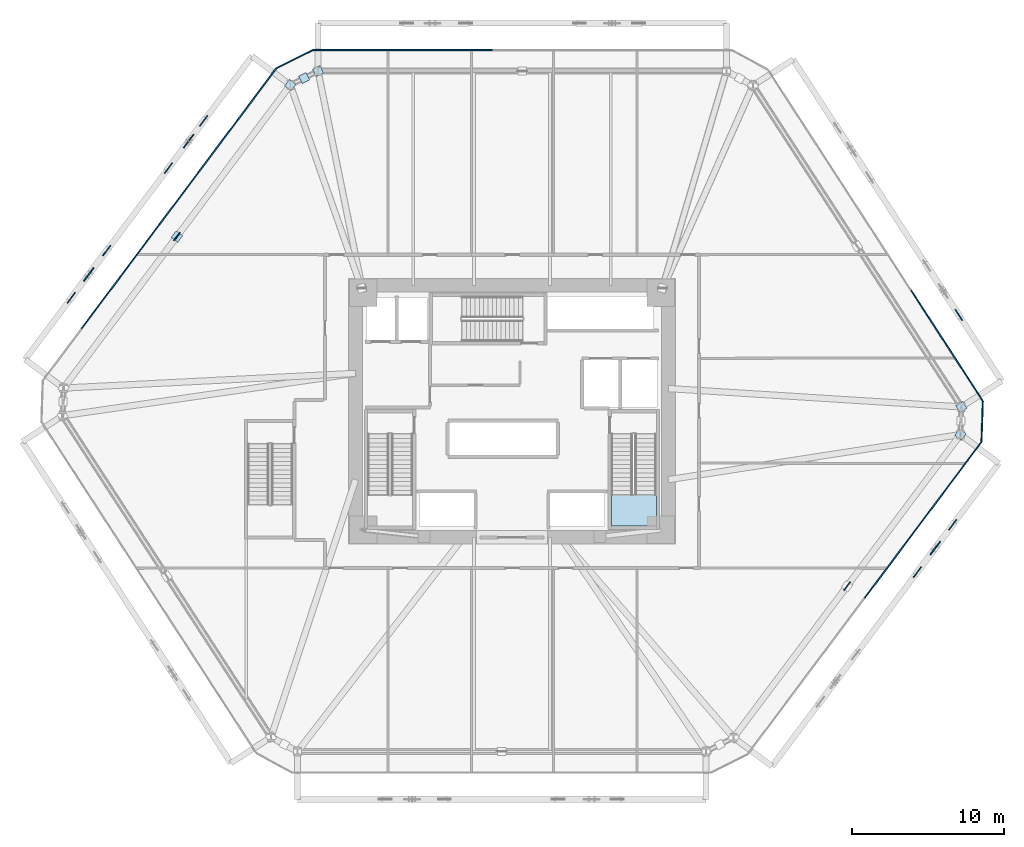
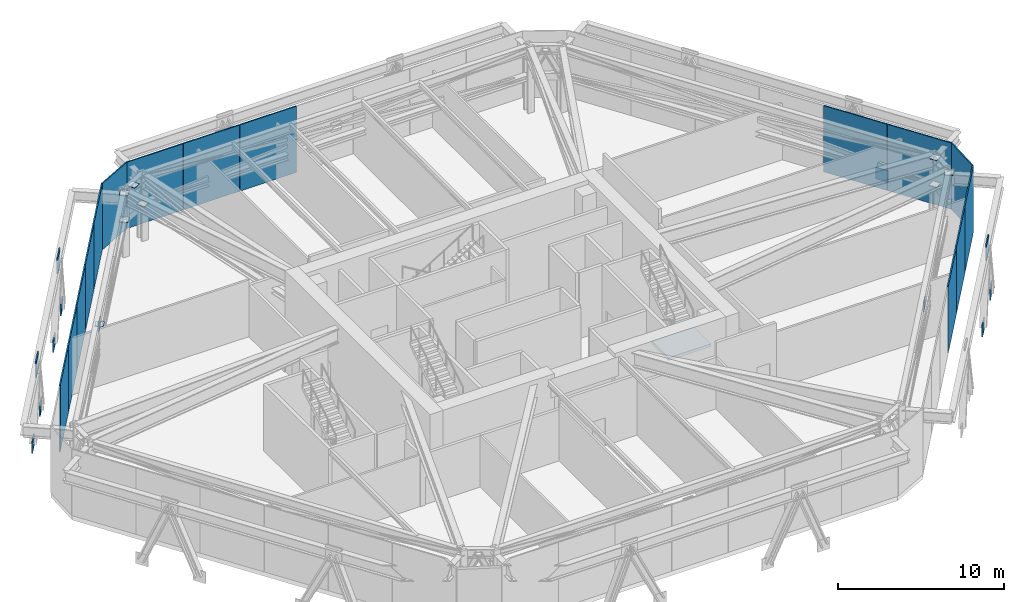
# One storey, part 7 of 16: 35 plates, 1 slab, 1 element without a shape of its own.
"""IFC4 building model written with IfcOpenShell, lengths in metres."""

from ifc_helpers import new_model, si_unit, direction, frame, origin, origin_2d, place, context, subcontext, project, spatial, polyline, rectangle, outline, extrude, source, transform, mapped, material, layer, layer_set, type_object, type_shapes, element, aggregate, save


model = new_model("IFC4")

# Units and contexts
model_context = context("Model", 3, precision=1e-05, world=origin(), true_north=direction((0.0, 1.0)))
body_context = subcontext(model_context, "Body", "Model", "MODEL_VIEW")
ifc_project = project(units=[si_unit("LENGTHUNIT", "METRE"), si_unit("AREAUNIT", "SQUARE_METRE"), si_unit("VOLUMEUNIT", "CUBIC_METRE"), si_unit("PLANEANGLEUNIT", "RADIAN"), si_unit("MASSUNIT", "GRAM", prefix="KILO")], contexts=[model_context])

# Site, building, storey
site_placement = place(None, origin())
site = spatial("IfcSite", under=ifc_project, at=site_placement, CompositionType="ELEMENT")
building_placement = place(site_placement, origin())
building = spatial("IfcBuilding", under=site, at=building_placement, Name="Durnholm Broadcast Tower", CompositionType="ELEMENT")
storey_placement = place(building_placement, frame((0.0, 0.0, 10.39990234375)))
storey = spatial("IfcBuildingStorey", under=building, at=storey_placement, Name="L02", CompositionType="ELEMENT", Elevation=10.39990234375)

# Stair, slab
ifc_material_1 = material(Name="Concrete C50/60", Category="concrete")
stair_type = type_object("IfcStairType", Name="STAIR-DL-30R1733", PredefinedType="HALF_TURN_STAIR", material=ifc_material_1)
stair_placement = place(storey_placement, origin())
stair = element("IfcStair", 1, at=stair_placement, inside=storey, type_object=stair_type, Name="L02 ST-2", PredefinedType="HALF_TURN_STAIR")
ifc_layer_1 = layer(ifc_material_1, 0.199951171875)
ifc_layer_set_1 = layer_set([ifc_layer_1], Name="Concrete C50/60")
slab_type = type_object("IfcSlabType", Name="SLAB-LND-200", PredefinedType="LANDING", material=ifc_layer_set_1)
slab_placement = place(storey_placement, frame((0.0, 0.0, 2.400146484375)))
slab = element("IfcSlab", 2, at=slab_placement, type_object=slab_type, Name="ST-2 landing 1", PredefinedType="LANDING", context=body_context, shape_type="SweptSolid", body=[
    extrude(outline(polyline([(6.5400390625, -5.489990234375), (6.5400390625, -7.550048828125), (9.5, -7.550048828125), (9.5, -5.489990234375), (6.5400390625, -5.489990234375)])), origin(), (0.0, 0.0, 1.0), 0.199951171875),
])
aggregate(stair, [slab])

# Plates
ifc_material_2 = material(Name="Steel ASTM A572 Grade 50", Category="steel")
ifc_layer_2 = layer(ifc_material_2, 0.0400390625)
ifc_layer_set_2 = layer_set([ifc_layer_2], Name="Steel ASTM A572 Grade 50")
plate_type_1 = type_object("IfcPlateType", Name="PLT-KN-CAP", PredefinedType="USERDEFINED", material=ifc_layer_set_2)
shared_shape_1 = source(origin(), body_context, "Body", "SweptSolid", [
    extrude(rectangle(XDim=0.5400390625, YDim=0.5400390625, at=origin_2d()), origin(), (0.0, 0.0, 1.0), 0.0400390625),
])
type_shapes(plate_type_1, [shared_shape_1])
for number, where, z_axis, x_axis, name in (
    (3, (-14.594482421875, 21.487548828125, 2.530029296875), (0.0, 0.0, 1.0), (0.59916334338, 0.800626809413, 0.0), "L02 hollow section end cap plate BT-CH-L02-03 2"),
    (4, (-14.594482421875, 21.487548828125, 4.510009765625), (0.0, 0.0, 1.0), (0.59916334338, 0.800626809413, 0.0), "L02 hollow section end cap plate BT-XCONT-L02-03 2"),
    (5, (-22.06201171875, 11.509033203125, 3.52001953125), (0.0, 0.0, 1.0), (-0.59916334338, -0.800626809413, 0.0), "L02 hollow section end cap plate BT-XSPLIT-L02-03-1 2"),
    (6, (-12.77197265625, 22.39990234375, 2.530029296875), (0.0, 0.0, 1.0), (0.894232371924, 0.447603021665, 0.0), "L02 hollow section end cap plate BT-CH-L02-04 2"),
    (7, (-13.68310546875, 21.94384765625, 4.510009765625), (0.0, 0.0, 1.0), (0.894232371924, 0.447603021665, 0.0), "L02 hollow section end cap plate BT-BR-L02-04-1 2"),
    (8, (29.590576171875, 0.28857421875, 2.530029296875), (0.0, 0.0, 1.0), (0.544053399827, -0.839050593311, 0.0), "L02 hollow section end cap plate BT-CH-L02-07 2"),
    (9, (29.590576171875, 0.28857421875, 4.510009765625), (0.0, 0.0, 1.0), (0.544053399827, -0.839050593311, 0.0), "L02 hollow section end cap plate BT-XCONT-L02-07 2"),
    (10, (29.529296875, -1.530517578125, 4.510009765625), (0.0, 0.0, 1.0), (0.59916334338, 0.800626809413, 0.0), "L02 hollow section end cap plate BT-XSPLIT-L02-09-2 2"),
):
    element("IfcPlate", number, at=place(storey_placement, frame(where, z_axis=z_axis, x_axis=x_axis)), inside=storey, type_object=plate_type_1, Name=name, ObjectType="CAP_PLATE", PredefinedType="USERDEFINED", context=body_context, shape_type="MappedRepresentation", body=[
        mapped(shared_shape_1, transform((0.0, 0.0, 0.0), x_axis=(1.0, 0.0, 0.0), y_axis=(0.0, 1.0, 0.0), z_axis=(0.0, 0.0, 1.0), scale=1.0)),
    ])
ifc_material_3 = material(Name="ASTM A572 Grade 50 Steel", Category="steel")
ifc_layer_3 = layer(ifc_material_3, 0.06005859375)
ifc_layer_set_3 = layer_set([ifc_layer_3], Name="ASTM A572 Grade 50 Steel")
plate_type_2 = type_object("IfcPlateType", Name="PLT-KN-X1", PredefinedType="USERDEFINED", material=ifc_layer_set_3)
shared_shape_2 = source(origin(), body_context, "Body", "SweptSolid", [
    extrude(rectangle(XDim=0.679931640625, YDim=0.06005859375, at=origin_2d()), origin(), (0.0, 0.0, 1.0), 0.679931640625),
])
type_shapes(plate_type_2, [shared_shape_2])
for number, where, z_axis, x_axis, name in (
    (11, (-22.06201171875, 11.509033203125, 3.2001953125), (0.0, 0.0, 1.0), (0.59916334338, 0.800626809413, 0.0), "L02 belt-truss X-brace crossing gusset plate 03"),
    (12, (22.06201171875, -11.509033203125, 3.2001953125), (0.0, 0.0, 1.0), (-0.59916334338, -0.800626809413, 0.0), "L02 belt-truss X-brace crossing gusset plate 09"),
):
    element("IfcPlate", number, at=place(storey_placement, frame(where, z_axis=z_axis, x_axis=x_axis)), inside=storey, type_object=plate_type_2, Name=name, ObjectType="GUSSET_PLATE", PredefinedType="USERDEFINED", context=body_context, shape_type="MappedRepresentation", body=[
        mapped(shared_shape_2, transform((0.0, 0.0, 0.0), x_axis=(1.0, 0.0, 0.0), y_axis=(0.0, 1.0, 0.0), z_axis=(0.0, 0.0, 1.0), scale=1.0)),
    ])
ifc_layer_4 = layer(ifc_material_2, 0.080078125)
ifc_layer_set_4 = layer_set([ifc_layer_4], Name="Steel ASTM A572 Grade 50")
plate_type_3 = type_object("IfcPlateType", Name="PLT-KN02-GUS", PredefinedType="USERDEFINED", material=ifc_layer_set_4)
shared_shape_3 = source(origin(), body_context, "Body", "SweptSolid", [
    extrude(rectangle(XDim=0.85009765625, YDim=0.06005859375, at=origin_2d()), origin(), (0.0, 0.0, 1.0), 0.85009765625),
])
for number, where, z_axis, x_axis, name in (
    (13, (26.6875, -10.585693359375, -0.77490234375), (0.0, 0.0, 1.0), (0.59916334338, 0.800626809413, 0.0), "L02 pilotis-to-diagrid base gusset plate F2.D2.1"),
    (14, (29.01708984375, -7.472412109375, -0.77490234375), (0.0, 0.0, 1.0), (0.59916334338, 0.800626809413, 0.0), "L02 pilotis-to-diagrid base gusset plate F2.D2.2"),
    (15, (29.42041015625, 6.340087890625, -0.77490234375), (0.0, 0.0, 1.0), (-0.544053399827, 0.839050593311, 0.0), "L02 pilotis-to-diagrid base gusset plate F3.D1.1"),
    (16, (-20.2978515625, 19.123779296875, -0.77490234375), (0.0, 0.0, 1.0), (-0.59916334338, -0.800626809413, 0.0), "L02 pilotis-to-diagrid base gusset plate F5.D1.1"),
    (17, (-22.62744140625, 16.0107421875, -0.77490234375), (0.0, 0.0, 1.0), (-0.59916334338, -0.800626809413, 0.0), "L02 pilotis-to-diagrid base gusset plate F5.D1.2"),
    (18, (-26.6875, 10.585693359375, -0.77490234375), (0.0, 0.0, 1.0), (-0.59916334338, -0.800626809413, 0.0), "L02 pilotis-to-diagrid base gusset plate F5.D2.1"),
    (19, (-29.01708984375, 7.472412109375, -0.77490234375), (0.0, 0.0, 1.0), (-0.59916334338, -0.800626809413, 0.0), "L02 pilotis-to-diagrid base gusset plate F5.D2.2"),
):
    element("IfcPlate", number, at=place(storey_placement, frame(where, z_axis=z_axis, x_axis=x_axis)), inside=storey, type_object=plate_type_3, Name=name, ObjectType="GUSSET_PLATE", PredefinedType="USERDEFINED", context=body_context, shape_type="MappedRepresentation", body=[
        mapped(shared_shape_3, transform((0.0, 0.0, 0.0), x_axis=(1.0, 0.0, 0.0), y_axis=(0.0, 1.0, 0.0), z_axis=(0.0, 0.0, 1.0), scale=1.0)),
    ])
shared_shape_4 = source(origin(), body_context, "Body", "SweptSolid", [
    extrude(rectangle(XDim=1.10009765625, YDim=0.080078125, at=origin_2d()), origin(), (0.0, 0.0, 1.0), 1.199951171875),
])
type_shapes(plate_type_3, [shared_shape_3, shared_shape_4])
for number, where, z_axis, x_axis, name in (
    (20, (27.86962890625, -9.005859375, 3.52880859375), (0.0, 0.0, 1.0), (0.59916334338, 0.800626809413, 0.0), "L02 welded diagrid node gusset plate KN02 F2"),
    (21, (-21.298095703125, 17.787109375, 3.52880859375), (0.0, 0.0, 1.0), (-0.59916334338, -0.800626809413, 0.0), "L02 welded diagrid node gusset plate KN02 F5"),
    (22, (-27.86962890625, 9.005859375, 3.52880859375), (0.0, 0.0, 1.0), (-0.59916334338, -0.800626809413, 0.0), "L02 welded diagrid node gusset plate KN02 F5"),
):
    element("IfcPlate", number, at=place(storey_placement, frame(where, z_axis=z_axis, x_axis=x_axis)), inside=storey, type_object=plate_type_3, Name=name, ObjectType="GUSSET_PLATE", PredefinedType="USERDEFINED", context=body_context, shape_type="MappedRepresentation", body=[
        mapped(shared_shape_4, transform((0.0, 0.0, 0.0), x_axis=(1.0, 0.0, 0.0), y_axis=(0.0, 1.0, 0.0), z_axis=(0.0, 0.0, 1.0), scale=1.0)),
    ])
ifc_material_4 = material(Name="Anodised Architectural Aluminium Louvre Screen", Category="aluminium")
ifc_layer_5 = layer(ifc_material_4, 0.0849609375)
ifc_layer_set_5 = layer_set([ifc_layer_5], Name="Anodised Architectural Aluminium Louvre Screen")
plate_type_4 = type_object("IfcPlateType", Name="PLT-CROWN-SCR", PredefinedType="USERDEFINED", material=ifc_layer_set_5)
shared_shape_5 = source(origin(), body_context, "Body", "SweptSolid", [
    extrude(rectangle(XDim=2.679931640625, YDim=0.0849609375, at=origin_2d()), origin(), (0.0, 0.0, 1.0), 4.8798828125),
])
for number, where, z_axis, x_axis, name in (
    (23, (-14.31005859375, 23.19580078125, 0.000244140625), (0.0, 0.0, 1.0), (0.894232371924, 0.447603021665, 0.0), "L02 mechanical louvre screen panel SCR-L02-F03.1"),
    (24, (30.959228515625, -0.66796875, 0.000244140625), (0.0, 0.0, 1.0), (-0.033504050301, -0.999438581711, 0.0), "L02 mechanical louvre screen panel SCR-L02-F07.1"),
):
    element("IfcPlate", number, at=place(storey_placement, frame(where, z_axis=z_axis, x_axis=x_axis)), inside=storey, type_object=plate_type_4, Name=name, ObjectType="SCREEN", PredefinedType="USERDEFINED", context=body_context, shape_type="MappedRepresentation", body=[
        mapped(shared_shape_5, transform((0.0, 0.0, 0.0), x_axis=(1.0, 0.0, 0.0), y_axis=(0.0, 1.0, 0.0), z_axis=(0.0, 0.0, 1.0), scale=1.0)),
    ])
shared_shape_6 = source(origin(), body_context, "Body", "SweptSolid", [
    extrude(rectangle(XDim=4.262939453125, YDim=0.0849609375, at=origin_2d()), origin(), (0.0, 0.0, 1.0), 4.8798828125),
])
for number, where, z_axis, x_axis, name in (
    (25, (-27.064697265625, 7.16064453125, 0.000244140625), (0.0, 0.0, 1.0), (0.59916334338, 0.800626809413, 0.0), "L02 mechanical louvre screen panel SCR-L02-F02.2"),
    (26, (-24.49853515625, 10.589599609375, 0.000244140625), (0.0, 0.0, 1.0), (0.59916334338, 0.800626809413, 0.0), "L02 mechanical louvre screen panel SCR-L02-F02.3"),
    (27, (-21.932373046875, 14.018798828125, 0.000244140625), (0.0, 0.0, 1.0), (0.59916334338, 0.800626809413, 0.0), "L02 mechanical louvre screen panel SCR-L02-F02.4"),
    (28, (-19.3662109375, 17.44775390625, 0.000244140625), (0.0, 0.0, 1.0), (0.59916334338, 0.800626809413, 0.0), "L02 mechanical louvre screen panel SCR-L02-F02.5"),
    (29, (-16.80029296875, 20.876708984375, 0.000244140625), (0.0, 0.0, 1.0), (0.59916334338, 0.800626809413, 0.0), "L02 mechanical louvre screen panel SCR-L02-F02.6"),
    (30, (29.630859375, -3.731689453125, 0.000244140625), (0.0, 0.0, 1.0), (-0.59916334338, -0.800626809413, 0.0), "L02 mechanical louvre screen panel SCR-L02-F08.1"),
    (31, (27.064697265625, -7.16064453125, 0.000244140625), (0.0, 0.0, 1.0), (-0.59916334338, -0.800626809413, 0.0), "L02 mechanical louvre screen panel SCR-L02-F08.2"),
    (32, (24.49853515625, -10.589599609375, 0.000244140625), (0.0, 0.0, 1.0), (-0.59916334338, -0.800626809413, 0.0), "L02 mechanical louvre screen panel SCR-L02-F08.3"),
):
    element("IfcPlate", number, at=place(storey_placement, frame(where, z_axis=z_axis, x_axis=x_axis)), inside=storey, type_object=plate_type_4, Name=name, ObjectType="SCREEN", PredefinedType="USERDEFINED", context=body_context, shape_type="MappedRepresentation", body=[
        mapped(shared_shape_6, transform((0.0, 0.0, 0.0), x_axis=(1.0, 0.0, 0.0), y_axis=(0.0, 1.0, 0.0), z_axis=(0.0, 0.0, 1.0), scale=1.0)),
    ])
shared_shape_7 = source(origin(), body_context, "Body", "SweptSolid", [
    extrude(rectangle(XDim=3.919677734375, YDim=0.0849609375, at=origin_2d()), origin(), (0.0, 0.0, 1.0), 4.8798828125),
])
for number, where, z_axis, x_axis, name in (
    (33, (-11.133056640625, 23.800048828125, 0.000244140625), (0.0, 0.0, 1.0), (1.0, 0.0, 0.0), "L02 mechanical louvre screen panel SCR-L02-F04.1"),
    (34, (-7.193359375, 23.800048828125, 0.000244140625), (0.0, 0.0, 1.0), (1.0, 0.0, 0.0), "L02 mechanical louvre screen panel SCR-L02-F04.2"),
    (35, (-3.253662109375, 23.800048828125, 0.000244140625), (0.0, 0.0, 1.0), (1.0, 0.0, 0.0), "L02 mechanical louvre screen panel SCR-L02-F04.3"),
):
    element("IfcPlate", number, at=place(storey_placement, frame(where, z_axis=z_axis, x_axis=x_axis)), inside=storey, type_object=plate_type_4, Name=name, ObjectType="SCREEN", PredefinedType="USERDEFINED", context=body_context, shape_type="MappedRepresentation", body=[
        mapped(shared_shape_7, transform((0.0, 0.0, 0.0), x_axis=(1.0, 0.0, 0.0), y_axis=(0.0, 1.0, 0.0), z_axis=(0.0, 0.0, 1.0), scale=1.0)),
    ])
shared_shape_8 = source(origin(), body_context, "Body", "SweptSolid", [
    extrude(rectangle(XDim=4.31640625, YDim=0.0849609375, at=origin_2d()), origin(), (0.0, 0.0, 1.0), 4.8798828125),
])
type_shapes(plate_type_4, [shared_shape_5, shared_shape_6, shared_shape_7, shared_shape_8])
for number, where, z_axis, x_axis, name in (
    (36, (27.465087890625, 6.138671875, 0.000244140625), (0.0, 0.0, 1.0), (0.544053399827, -0.839050593311, 0.0), "L02 mechanical louvre screen panel SCR-L02-F06.5"),
    (37, (29.82470703125, 2.50048828125, 0.000244140625), (0.0, 0.0, 1.0), (0.544053399827, -0.839050593311, 0.0), "L02 mechanical louvre screen panel SCR-L02-F06.6"),
):
    element("IfcPlate", number, at=place(storey_placement, frame(where, z_axis=z_axis, x_axis=x_axis)), inside=storey, type_object=plate_type_4, Name=name, ObjectType="SCREEN", PredefinedType="USERDEFINED", context=body_context, shape_type="MappedRepresentation", body=[
        mapped(shared_shape_8, transform((0.0, 0.0, 0.0), x_axis=(1.0, 0.0, 0.0), y_axis=(0.0, 1.0, 0.0), z_axis=(0.0, 0.0, 1.0), scale=1.0)),
    ])

save(model, "model.ifc")
